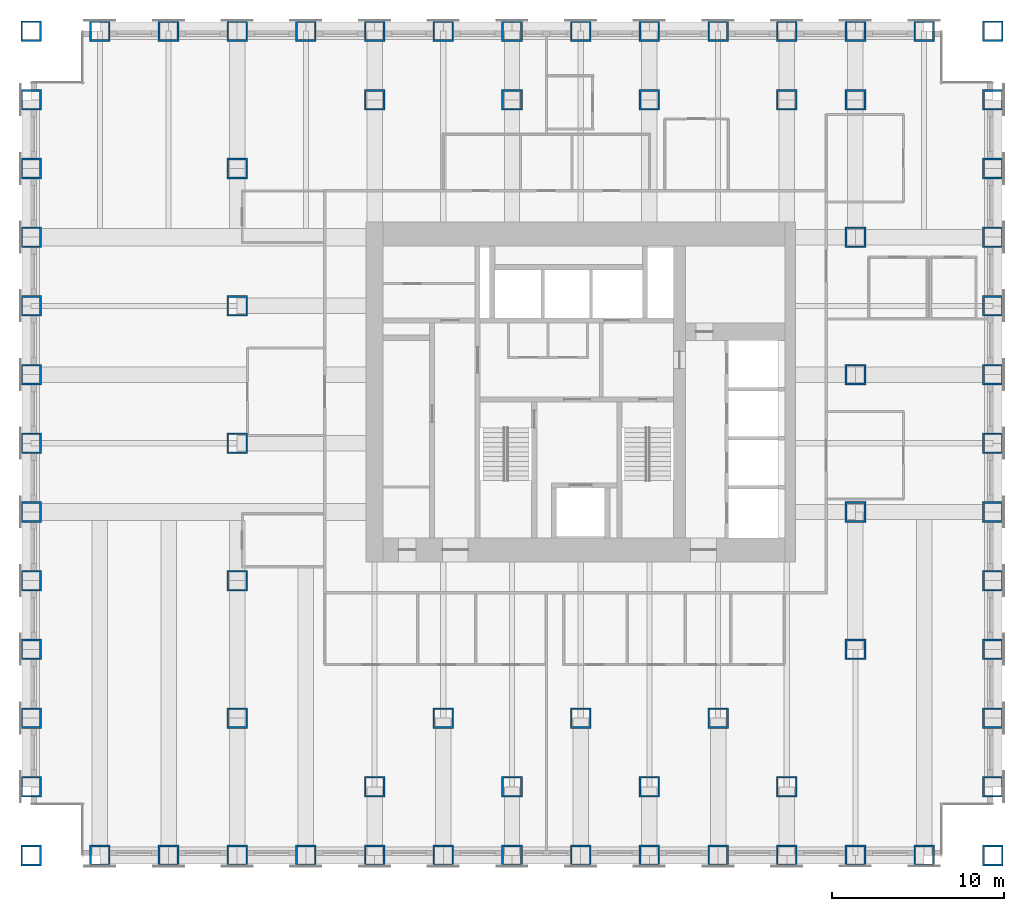
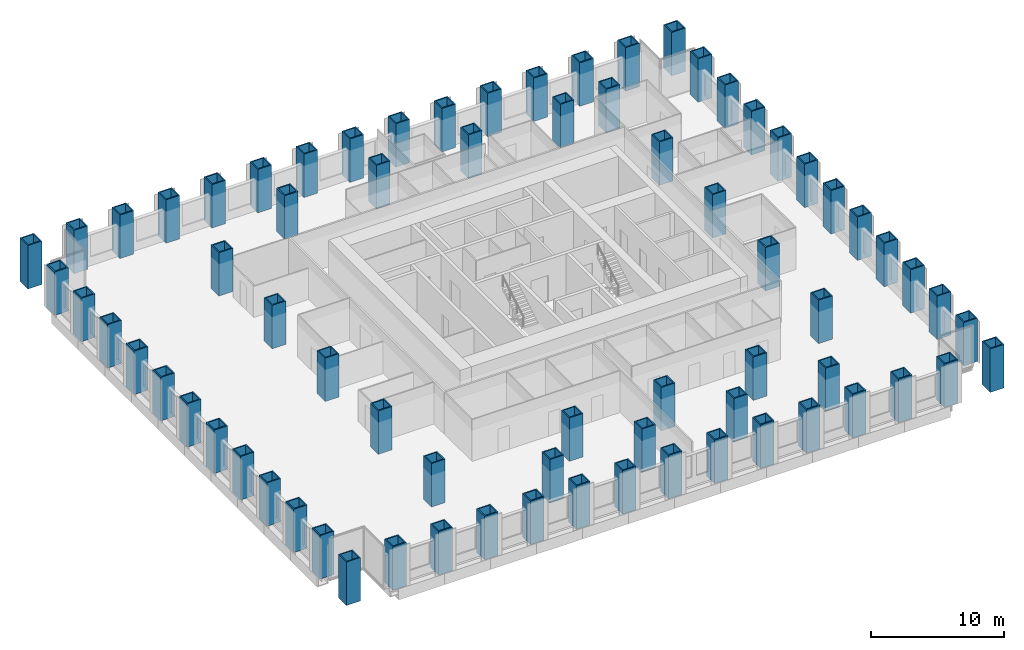
# One storey, part 1 of 14: 73 columns.
"""IFC4 building model written with IfcOpenShell, lengths in metres."""

from ifc_helpers import new_model, si_unit, direction, frame, origin, origin_2d, place, context, subcontext, project, spatial, hollow_rectangle, extrude, material, material_profile, profile_set, type_object, element, save


model = new_model("IFC4")

# Units and contexts
model_context = context("Model", 3, precision=1e-05, world=origin(), true_north=direction((0.0, 1.0)))
body_context = subcontext(model_context, "Body", "Model", "MODEL_VIEW")
ifc_project = project(units=[si_unit("LENGTHUNIT", "METRE"), si_unit("AREAUNIT", "SQUARE_METRE"), si_unit("VOLUMEUNIT", "CUBIC_METRE"), si_unit("PLANEANGLEUNIT", "RADIAN"), si_unit("MASSUNIT", "GRAM", prefix="KILO")], contexts=[model_context])

# Site, building, storey
site_placement = place(None, origin())
site = spatial("IfcSite", under=ifc_project, at=site_placement, CompositionType="ELEMENT")
building_placement = place(site_placement, origin())
building = spatial("IfcBuilding", under=site, at=building_placement, Name="Rimbunsela Tower", CompositionType="ELEMENT")
storey_placement = place(building_placement, frame((0.0, 0.0, 55.0)))
storey = spatial("IfcBuildingStorey", under=building, at=storey_placement, Name="L13", CompositionType="ELEMENT", Elevation=55.0)

# Columns
ifc_material = material(Name="Steel BJ 55 (fy 410 MPa)", Category="steel")
ifc_material_profile = material_profile(ifc_material, hollow_rectangle(XDim=1.199951171875, YDim=1.199951171875, WallThickness=0.10009765625, at=origin_2d()), Name="BOX 1200x1200x100")
ifc_profile_set = profile_set([ifc_material_profile], Name="Steel BJ 55 (fy 410 MPa)")
column_type = type_object("IfcColumnType", Name="Column BOX 1200x1200x100", PredefinedType="COLUMN", material=ifc_profile_set)
for number, where, z_axis, x_axis, name in (
    (1, (-2.0, 0.0, 0.0), (0.0, 0.0, 1.0), (1.0, 0.0, 0.0), "Column C7 2/B L13"),
    (2, (-2.0, 4.0, 0.0), (0.0, 0.0, 1.0), (1.0, 0.0, 0.0), "Column C7 2/C L13"),
    (3, (-2.0, 8.0, 0.0), (0.0, 0.0, 1.0), (1.0, 0.0, 0.0), "Column C7 2/D L13"),
    (4, (-2.0, 12.0, 0.0), (0.0, 0.0, 1.0), (1.0, 0.0, 0.0), "Column C7 2/E L13"),
    (5, (-2.0, 16.0, 0.0), (0.0, 0.0, 1.0), (1.0, 0.0, 0.0), "Column C7 2/F L13"),
    (6, (-2.0, 20.0, 0.0), (0.0, 0.0, 1.0), (1.0, 0.0, 0.0), "Column C7 2/G L13"),
    (7, (-2.0, 24.0, 0.0), (0.0, 0.0, 1.0), (1.0, 0.0, 0.0), "Column C7 2/H L13"),
    (8, (-2.0, 28.0, 0.0), (0.0, 0.0, 1.0), (1.0, 0.0, 0.0), "Column C7 2/J L13"),
    (9, (-2.0, 32.0, 0.0), (0.0, 0.0, 1.0), (1.0, 0.0, 0.0), "Column C7 2/K L13"),
    (10, (-2.0, 36.0, 0.0), (0.0, 0.0, 1.0), (1.0, 0.0, 0.0), "Column C7 2/L L13"),
    (11, (-2.0, 40.0, 0.0), (0.0, 0.0, 1.0), (1.0, 0.0, 0.0), "Column C7 2/M L13"),
    (12, (-2.0, 44.0, 0.0), (0.0, 0.0, 1.0), (1.0, 0.0, 0.0), "Column C7 2/N L13"),
    (13, (-2.0, 48.0, 0.0), (0.0, 0.0, 1.0), (1.0, 0.0, 0.0), "Column C7 2/P L13"),
    (14, (2.0, 0.0, 0.0), (0.0, 0.0, 1.0), (1.0, 0.0, 0.0), "Column C7 3/B L13"),
    (15, (2.0, 48.0, 0.0), (0.0, 0.0, 1.0), (1.0, 0.0, 0.0), "Column C7 3/P L13"),
    (16, (6.0, 0.0, 0.0), (0.0, 0.0, 1.0), (1.0, 0.0, 0.0), "Column C7 4/B L13"),
    (17, (6.0, 48.0, 0.0), (0.0, 0.0, 1.0), (1.0, 0.0, 0.0), "Column C7 4/P L13"),
    (18, (10.0, 0.0, 0.0), (0.0, 0.0, 1.0), (1.0, 0.0, 0.0), "Column C7 5/B L13"),
    (19, (10.0, 48.0, 0.0), (0.0, 0.0, 1.0), (1.0, 0.0, 0.0), "Column C7 5/P L13"),
    (20, (14.0, 0.0, 0.0), (0.0, 0.0, 1.0), (1.0, 0.0, 0.0), "Column C7 6/B L13"),
    (21, (14.0, 48.0, 0.0), (0.0, 0.0, 1.0), (1.0, 0.0, 0.0), "Column C7 6/P L13"),
    (22, (18.0, 0.0, 0.0), (0.0, 0.0, 1.0), (1.0, 0.0, 0.0), "Column C7 7/B L13"),
    (23, (18.0, 48.0, 0.0), (0.0, 0.0, 1.0), (1.0, 0.0, 0.0), "Column C7 7/P L13"),
    (24, (22.0, 0.0, 0.0), (0.0, 0.0, 1.0), (1.0, 0.0, 0.0), "Column C7 8/B L13"),
    (25, (22.0, 48.0, 0.0), (0.0, 0.0, 1.0), (1.0, 0.0, 0.0), "Column C7 8/P L13"),
    (26, (26.0, 0.0, 0.0), (0.0, 0.0, 1.0), (1.0, 0.0, 0.0), "Column C7 9/B L13"),
    (27, (26.0, 48.0, 0.0), (0.0, 0.0, 1.0), (1.0, 0.0, 0.0), "Column C7 9/P L13"),
    (28, (30.0, 0.0, 0.0), (0.0, 0.0, 1.0), (1.0, 0.0, 0.0), "Column C7 10/B L13"),
    (29, (30.0, 48.0, 0.0), (0.0, 0.0, 1.0), (1.0, 0.0, 0.0), "Column C7 10/P L13"),
    (30, (34.0, 0.0, 0.0), (0.0, 0.0, 1.0), (1.0, 0.0, 0.0), "Column C7 11/B L13"),
    (31, (34.0, 48.0, 0.0), (0.0, 0.0, 1.0), (1.0, 0.0, 0.0), "Column C7 11/P L13"),
    (32, (38.0, 0.0, 0.0), (0.0, 0.0, 1.0), (1.0, 0.0, 0.0), "Column C7 12/B L13"),
    (33, (38.0, 48.0, 0.0), (0.0, 0.0, 1.0), (1.0, 0.0, 0.0), "Column C7 12/P L13"),
    (34, (42.0, 0.0, 0.0), (0.0, 0.0, 1.0), (1.0, 0.0, 0.0), "Column C7 13/B L13"),
    (35, (42.0, 48.0, 0.0), (0.0, 0.0, 1.0), (1.0, 0.0, 0.0), "Column C7 13/P L13"),
    (36, (46.0, 0.0, 0.0), (0.0, 0.0, 1.0), (1.0, 0.0, 0.0), "Column C7 14/B L13"),
    (37, (46.0, 48.0, 0.0), (0.0, 0.0, 1.0), (1.0, 0.0, 0.0), "Column C7 14/P L13"),
    (38, (50.0, 0.0, 0.0), (0.0, 0.0, 1.0), (1.0, 0.0, 0.0), "Column C7 15/B L13"),
    (39, (50.0, 48.0, 0.0), (0.0, 0.0, 1.0), (1.0, 0.0, 0.0), "Column C7 15/P L13"),
    (40, (54.0, 0.0, 0.0), (0.0, 0.0, 1.0), (1.0, 0.0, 0.0), "Column C7 16/B L13"),
    (41, (54.0, 4.0, 0.0), (0.0, 0.0, 1.0), (1.0, 0.0, 0.0), "Column C7 16/C L13"),
    (42, (54.0, 8.0, 0.0), (0.0, 0.0, 1.0), (1.0, 0.0, 0.0), "Column C7 16/D L13"),
    (43, (54.0, 12.0, 0.0), (0.0, 0.0, 1.0), (1.0, 0.0, 0.0), "Column C7 16/E L13"),
    (44, (54.0, 16.0, 0.0), (0.0, 0.0, 1.0), (1.0, 0.0, 0.0), "Column C7 16/F L13"),
    (45, (54.0, 20.0, 0.0), (0.0, 0.0, 1.0), (1.0, 0.0, 0.0), "Column C7 16/G L13"),
    (46, (54.0, 24.0, 0.0), (0.0, 0.0, 1.0), (1.0, 0.0, 0.0), "Column C7 16/H L13"),
    (47, (54.0, 28.0, 0.0), (0.0, 0.0, 1.0), (1.0, 0.0, 0.0), "Column C7 16/J L13"),
    (48, (54.0, 32.0, 0.0), (0.0, 0.0, 1.0), (1.0, 0.0, 0.0), "Column C7 16/K L13"),
    (49, (54.0, 36.0, 0.0), (0.0, 0.0, 1.0), (1.0, 0.0, 0.0), "Column C7 16/L L13"),
    (50, (54.0, 40.0, 0.0), (0.0, 0.0, 1.0), (1.0, 0.0, 0.0), "Column C7 16/M L13"),
    (51, (54.0, 44.0, 0.0), (0.0, 0.0, 1.0), (1.0, 0.0, 0.0), "Column C7 16/N L13"),
    (52, (54.0, 48.0, 0.0), (0.0, 0.0, 1.0), (1.0, 0.0, 0.0), "Column C7 16/P L13"),
    (53, (10.0, 8.0, 0.0), (0.0, 0.0, 1.0), (1.0, 0.0, 0.0), "Column C7 5/D L13"),
    (54, (10.0, 16.0, 0.0), (0.0, 0.0, 1.0), (1.0, 0.0, 0.0), "Column C7 5/F L13"),
    (55, (10.0, 24.0, 0.0), (0.0, 0.0, 1.0), (1.0, 0.0, 0.0), "Column C7 5/H L13"),
    (56, (10.0, 32.0, 0.0), (0.0, 0.0, 1.0), (1.0, 0.0, 0.0), "Column C7 5/K L13"),
    (57, (10.0, 40.0, 0.0), (0.0, 0.0, 1.0), (1.0, 0.0, 0.0), "Column C7 5/M L13"),
    (58, (18.0, 4.0, 0.0), (0.0, 0.0, 1.0), (1.0, 0.0, 0.0), "Column C7 7/C L13"),
    (59, (18.0, 44.0, 0.0), (0.0, 0.0, 1.0), (1.0, 0.0, 0.0), "Column C7 7/N L13"),
    (60, (22.0, 8.0, 0.0), (0.0, 0.0, 1.0), (1.0, 0.0, 0.0), "Column C7 8/D L13"),
    (61, (26.0, 4.0, 0.0), (0.0, 0.0, 1.0), (1.0, 0.0, 0.0), "Column C7 9/C L13"),
    (62, (26.0, 44.0, 0.0), (0.0, 0.0, 1.0), (1.0, 0.0, 0.0), "Column C7 9/N L13"),
    (63, (30.0, 8.0, 0.0), (0.0, 0.0, 1.0), (1.0, 0.0, 0.0), "Column C7 10/D L13"),
    (64, (34.0, 4.0, 0.0), (0.0, 0.0, 1.0), (1.0, 0.0, 0.0), "Column C7 11/C L13"),
    (65, (34.0, 44.0, 0.0), (0.0, 0.0, 1.0), (1.0, 0.0, 0.0), "Column C7 11/N L13"),
    (66, (38.0, 8.0, 0.0), (0.0, 0.0, 1.0), (1.0, 0.0, 0.0), "Column C7 12/D L13"),
    (67, (42.0, 4.0, 0.0), (0.0, 0.0, 1.0), (1.0, 0.0, 0.0), "Column C7 13/C L13"),
    (68, (42.0, 44.0, 0.0), (0.0, 0.0, 1.0), (1.0, 0.0, 0.0), "Column C7 13/N L13"),
    (69, (46.0, 12.0, 0.0), (0.0, 0.0, 1.0), (1.0, 0.0, 0.0), "Column C7 14/E L13"),
    (70, (46.0, 20.0, 0.0), (0.0, 0.0, 1.0), (1.0, 0.0, 0.0), "Column C7 14/G L13"),
    (71, (46.0, 28.0, 0.0), (0.0, 0.0, 1.0), (1.0, 0.0, 0.0), "Column C7 14/J L13"),
    (72, (46.0, 36.0, 0.0), (0.0, 0.0, 1.0), (1.0, 0.0, 0.0), "Column C7 14/L L13"),
    (73, (46.0, 44.0, 0.0), (0.0, 0.0, 1.0), (1.0, 0.0, 0.0), "Column C7 14/N L13"),
):
    element("IfcColumn", number, at=place(storey_placement, frame(where, z_axis=z_axis, x_axis=x_axis)), inside=storey, type_object=column_type, Name=name, PredefinedType="COLUMN", context=body_context, shape_type="SweptSolid", body=[
        extrude(hollow_rectangle(XDim=1.199951171875, YDim=1.199951171875, WallThickness=0.10009765625, at=origin_2d()), origin(), (0.0, 0.0, 1.0), 4.0),
    ])

save(model, "model.ifc")
